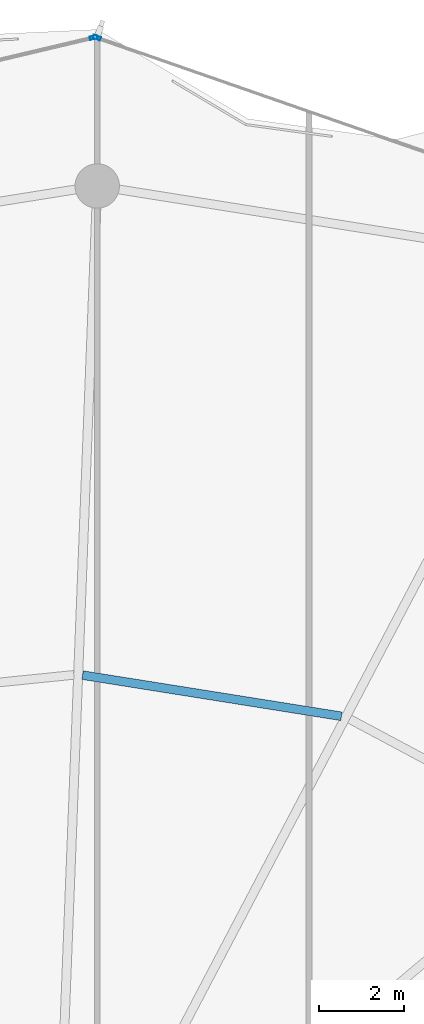
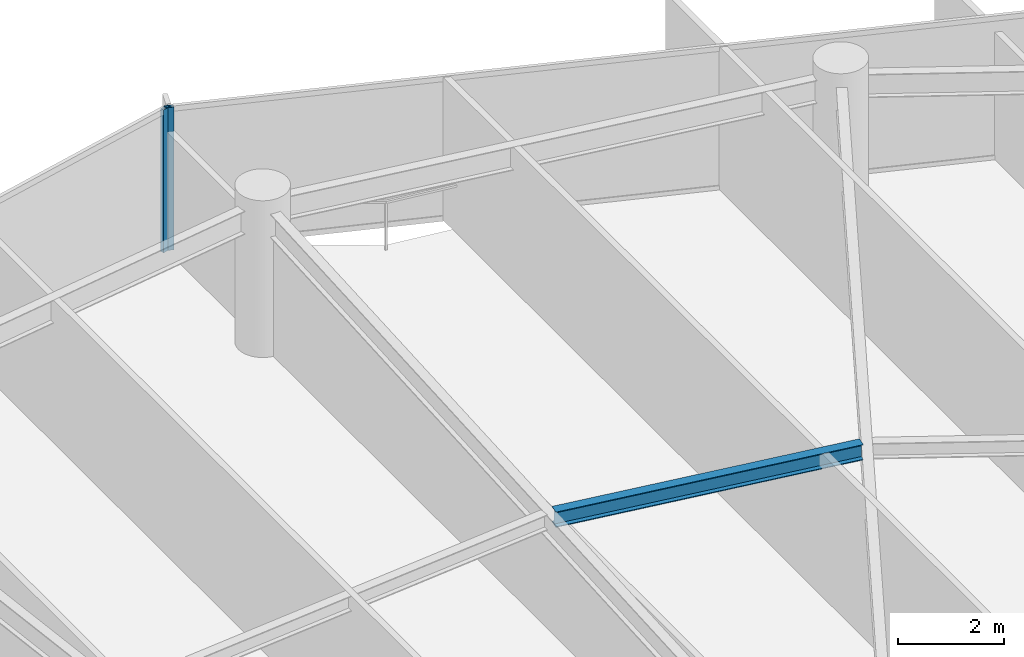
# One storey, part 19 of 29: 2 members, 1 beam, 2 elements without a shape of their own.
"""IFC4 building model written with IfcOpenShell, lengths in metres."""

from ifc_helpers import new_model, si_unit, direction, frame, origin, origin_2d, place, context, subcontext, project, spatial, hollow_rectangle, i_section, extrude, material, layer, layer_set, material_profile, profile_set, type_object, element, aggregate, save


model = new_model("IFC4")

# Units and contexts
model_context = context("Model", 3, precision=1e-05, world=origin(), true_north=direction((0.0, 1.0)))
body_context = subcontext(model_context, "Body", "Model", "MODEL_VIEW")
ifc_project = project(units=[si_unit("LENGTHUNIT", "METRE"), si_unit("AREAUNIT", "SQUARE_METRE"), si_unit("VOLUMEUNIT", "CUBIC_METRE"), si_unit("PLANEANGLEUNIT", "RADIAN"), si_unit("MASSUNIT", "GRAM", prefix="KILO")], contexts=[model_context])

# Site, building, storey
site_placement = place(None, origin())
site = spatial("IfcSite", under=ifc_project, at=site_placement, CompositionType="ELEMENT")
building_placement = place(site_placement, origin())
building = spatial("IfcBuilding", under=site, at=building_placement, Name="Kazevale Care Tower and Concert Hall", CompositionType="ELEMENT")
storey_placement = place(building_placement, frame((0.0, 0.0, 249.60009765625)))
storey = spatial("IfcBuildingStorey", under=building, at=storey_placement, Name="L66", CompositionType="ELEMENT", Elevation=249.60009765625)

# Curtain wall, member
ifc_material_1 = material(Name="Aluminium 6063-T6 and Low-E Glass", Category="aluminium")
ifc_layer_1 = layer(ifc_material_1, 0.179931640625)
ifc_layer_set_1 = layer_set([ifc_layer_1], Name="Aluminium 6063-T6 and Low-E Glass")
curtain_wall_type_1 = type_object("IfcCurtainWallType", Name="Convex Checkerboard Finned Curtain Wall CW-2", PredefinedType="NOTDEFINED", material=ifc_layer_set_1)
curtain_wall_1_placement = place(storey_placement, origin())
curtain_wall_1 = element("IfcCurtainWall", 1, at=curtain_wall_1_placement, inside=storey, type_object=curtain_wall_type_1, Name="cw:L66:f16", PredefinedType="NOTDEFINED")
ifc_material_2 = material(Name="Aluminium 6063-T6", Category="aluminium")
ifc_material_profile_1 = material_profile(ifc_material_2, hollow_rectangle(XDim=0.080078125, YDim=0.179931640625, WallThickness=0.0048828125, at=origin_2d()), Name="ALU80x180x5")
ifc_profile_set_1 = profile_set([ifc_material_profile_1], Name="Aluminium 6063-T6")
member_type_1 = type_object("IfcMemberType", Name="CW-2 Mullion ALU80x180x5", PredefinedType="MULLION", material=ifc_profile_set_1)
member_1_placement = place(storey_placement, frame((44.99169921875, 65.554931640625, 0.0), z_axis=(0.0, 0.0, 1.0), x_axis=(0.328583704497, 0.94447485363, 0.0)))
member_1 = element("IfcMember", 2, at=member_1_placement, type_object=member_type_1, Name="CW-2 mullion 1", PredefinedType="MULLION", context=body_context, shape_type="SweptSolid", body=[
    extrude(hollow_rectangle(XDim=0.080078125, YDim=0.179931640625, WallThickness=0.0048828125, at=origin_2d()), origin(), (0.0, 0.0, 1.0), 3.27978515625),
])
aggregate(curtain_wall_1, [member_1])

ifc_layer_2 = layer(ifc_material_1, 0.179931640625)
ifc_layer_set_2 = layer_set([ifc_layer_2], Name="Aluminium 6063-T6 and Low-E Glass")
curtain_wall_type_2 = type_object("IfcCurtainWallType", Name="Waist & Upper Residential Curtain Wall CW-4", PredefinedType="NOTDEFINED", material=ifc_layer_set_2)
curtain_wall_2_placement = place(storey_placement, origin())
curtain_wall_2 = element("IfcCurtainWall", 3, at=curtain_wall_2_placement, inside=storey, type_object=curtain_wall_type_2, Name="cw:L66:f15", PredefinedType="NOTDEFINED")
ifc_material_profile_2 = material_profile(ifc_material_2, hollow_rectangle(XDim=0.080078125, YDim=0.179931640625, WallThickness=0.0048828125, at=origin_2d()), Name="ALU80x180x5")
ifc_profile_set_2 = profile_set([ifc_material_profile_2], Name="Aluminium 6063-T6")
member_type_2 = type_object("IfcMemberType", Name="CW-4 Mullion ALU80x180x5", PredefinedType="MULLION", material=ifc_profile_set_2)
member_2_placement = place(storey_placement, frame((44.9150390625, 65.558837890625, 0.0), z_axis=(0.0, 0.0, 1.0), x_axis=(-0.230439111929, 0.973086746233, 0.0)))
member_2 = element("IfcMember", 4, at=member_2_placement, type_object=member_type_2, Name="CW-4 mullion 2", PredefinedType="MULLION", context=body_context, shape_type="SweptSolid", body=[
    extrude(hollow_rectangle(XDim=0.080078125, YDim=0.179931640625, WallThickness=0.0048828125, at=origin_2d()), origin(), (0.0, 0.0, 1.0), 3.27978515625),
])
aggregate(curtain_wall_2, [member_2])

# Beam
ifc_material_3 = material(Name="Steel ASTM A572 Gr 50", Category="steel")
ifc_material_profile_3 = material_profile(ifc_material_3, i_section(OverallWidth=0.205078125, OverallDepth=0.35400390625, WebThickness=0.009521484375, FlangeThickness=0.016845703125, at=origin_2d()), Name="W360x79")
ifc_profile_set_3 = profile_set([ifc_material_profile_3], Name="Steel ASTM A572 Gr 50")
beam_type = type_object("IfcBeamType", Name="Secondary Floor Joist W360x79", PredefinedType="JOIST", material=ifc_profile_set_3)
beam_placement = place(storey_placement, frame((50.77099609375, 49.51806640625, 3.102783203125), z_axis=(-0.987586560603, 0.157075731152, 0.0), x_axis=(-0.157075731152, -0.987586560603, 0.0)))
element("IfcBeam", 5, at=beam_placement, inside=storey, type_object=beam_type, Name="beam:L66:joist:04", PredefinedType="JOIST", context=body_context, shape_type="SweptSolid", body=[
    extrude(i_section(OverallWidth=0.205078125, OverallDepth=0.35400390625, WebThickness=0.009521484375, FlangeThickness=0.016845703125, at=origin_2d()), origin(), (0.0, 0.0, 1.0), 6.19384765625),
])

save(model, "model.ifc")
